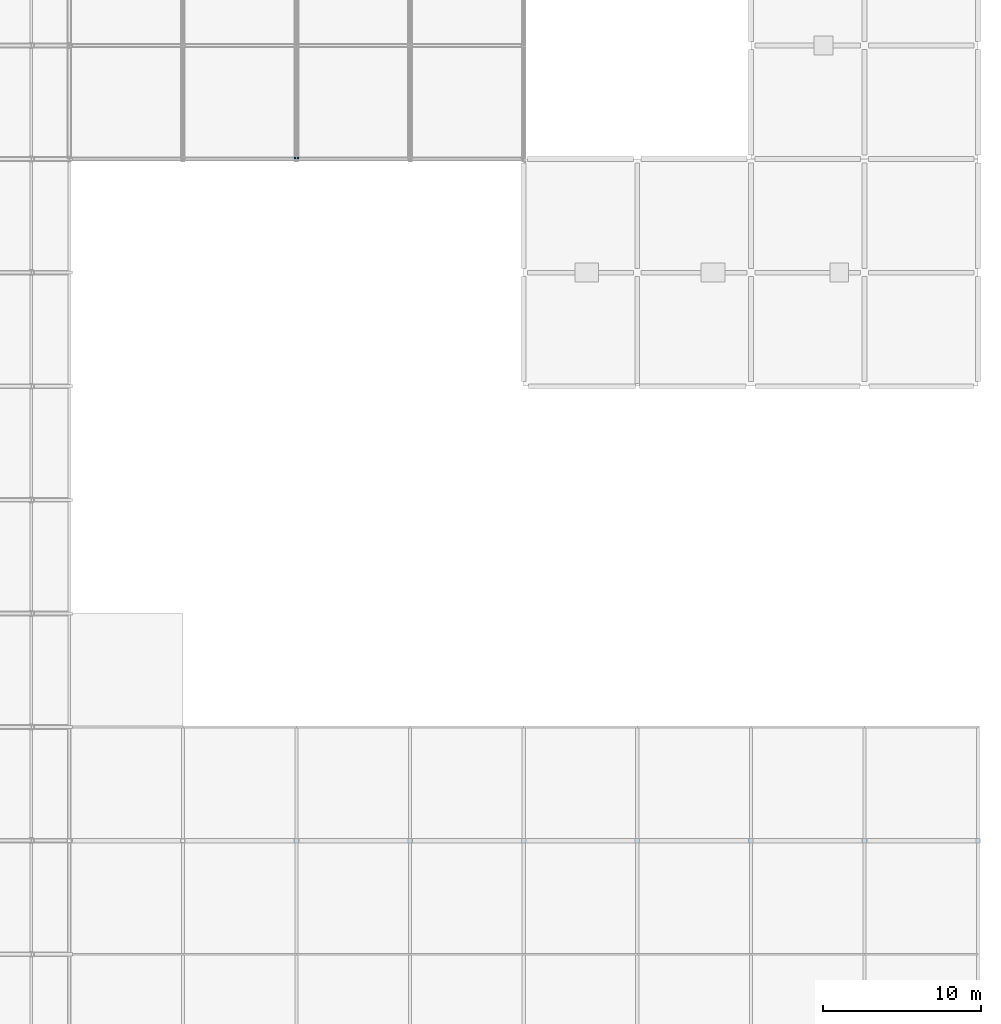
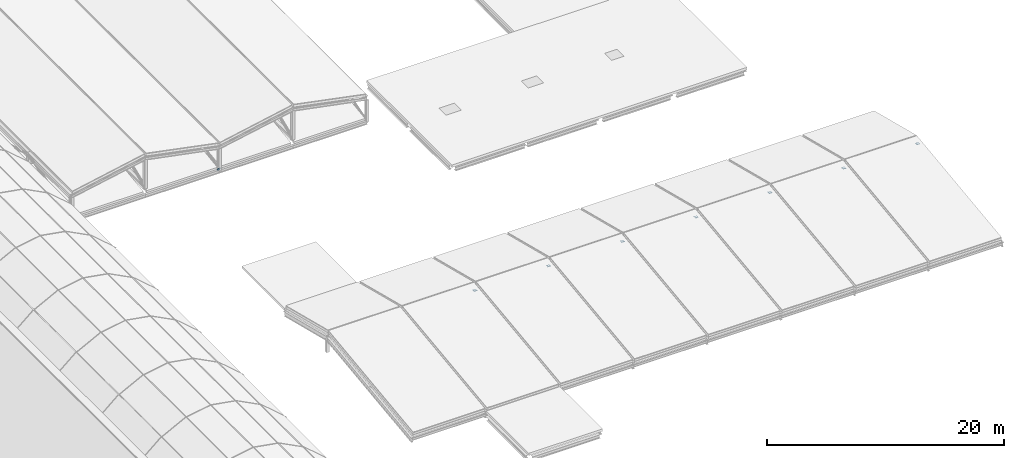
# One storey, part 56 of 60: 8 plates.
"""IFC4 building model written with IfcOpenShell, lengths in metres."""

from ifc_helpers import new_model, si_unit, direction, frame, origin, origin_2d, place, context, subcontext, project, spatial, rectangle, extrude, material, layer, layer_set, type_object, element, save


model = new_model("IFC4")

# Units and contexts
model_context = context("Model", 3, precision=1e-05, world=origin(), true_north=direction((0.0, 1.0)))
body_context = subcontext(model_context, "Body", "Model", "MODEL_VIEW")
ifc_project = project(units=[si_unit("LENGTHUNIT", "METRE"), si_unit("AREAUNIT", "SQUARE_METRE"), si_unit("VOLUMEUNIT", "CUBIC_METRE"), si_unit("PLANEANGLEUNIT", "RADIAN"), si_unit("MASSUNIT", "GRAM", prefix="KILO")], contexts=[model_context])

# Site, building, storey
site_placement = place(None, origin())
site = spatial("IfcSite", under=ifc_project, at=site_placement, CompositionType="ELEMENT")
building_placement = place(site_placement, origin())
building = spatial("IfcBuilding", under=site, at=building_placement, Name="Vesperath Aquatics Centre", CompositionType="ELEMENT")
storey_placement = place(building_placement, frame((0.0, 0.0, 27.60009765625)))
storey = spatial("IfcBuildingStorey", under=building, at=storey_placement, Name="RF", CompositionType="ELEMENT", Elevation=27.60009765625)

# Plates
ifc_material = material(Name="Steel Q355D", Category="steel")
ifc_layer = layer(ifc_material, 0.01806640625)
ifc_layer_set = layer_set([ifc_layer], Name="Steel Q355D")
plate_type = type_object("IfcPlateType", Name="PT-TN03", PredefinedType="SHEET", material=ifc_layer_set)
for number, where, z_axis, x_axis, name in (
    (1, (129.60009765625, 64.859130859375, -12.481201171875), (0.0, 0.952577642985, 0.304295635995), (-1.0, 0.0, 0.0), "Truss Node Cap Plate TN03"),
    (2, (129.60009765625, 21.60009765625, 1.290771484375), (0.0, 0.0, 1.0), (1.0, 0.0, 0.0), "Boulevard Attic Ridge Column Cap Plate TN03 RF 19/D"),
    (3, (136.800048828125, 21.60009765625, 1.290771484375), (0.0, 0.0, 1.0), (1.0, 0.0, 0.0), "Boulevard Attic Ridge Column Cap Plate TN03 RF 20/D"),
    (4, (144.0, 21.60009765625, 1.290771484375), (0.0, 0.0, 1.0), (1.0, 0.0, 0.0), "Boulevard Attic Ridge Column Cap Plate TN03 RF 21/D"),
    (5, (151.199951171875, 21.60009765625, 1.290771484375), (0.0, 0.0, 1.0), (1.0, 0.0, 0.0), "Boulevard Attic Ridge Column Cap Plate TN03 RF 22/D"),
    (6, (158.39990234375, 21.60009765625, 1.290771484375), (0.0, 0.0, 1.0), (1.0, 0.0, 0.0), "Boulevard Attic Ridge Column Cap Plate TN03 RF 23/D"),
    (7, (165.60009765625, 21.60009765625, 1.290771484375), (0.0, 0.0, 1.0), (1.0, 0.0, 0.0), "Boulevard Attic Ridge Column Cap Plate TN03 RF 24/D"),
    (8, (172.800048828125, 21.60009765625, 1.290771484375), (0.0, 0.0, 1.0), (1.0, 0.0, 0.0), "Boulevard Attic Ridge Column Cap Plate TN03 RF 25/D"),
):
    element("IfcPlate", number, at=place(storey_placement, frame(where, z_axis=z_axis, x_axis=x_axis)), inside=storey, type_object=plate_type, Name=name, PredefinedType="SHEET", context=body_context, shape_type="SweptSolid", body=[
        extrude(rectangle(XDim=0.280029296875, YDim=0.280029296875, at=origin_2d()), origin(), (0.0, 0.0, 1.0), 0.01806640625),
    ])

save(model, "model.ifc")
